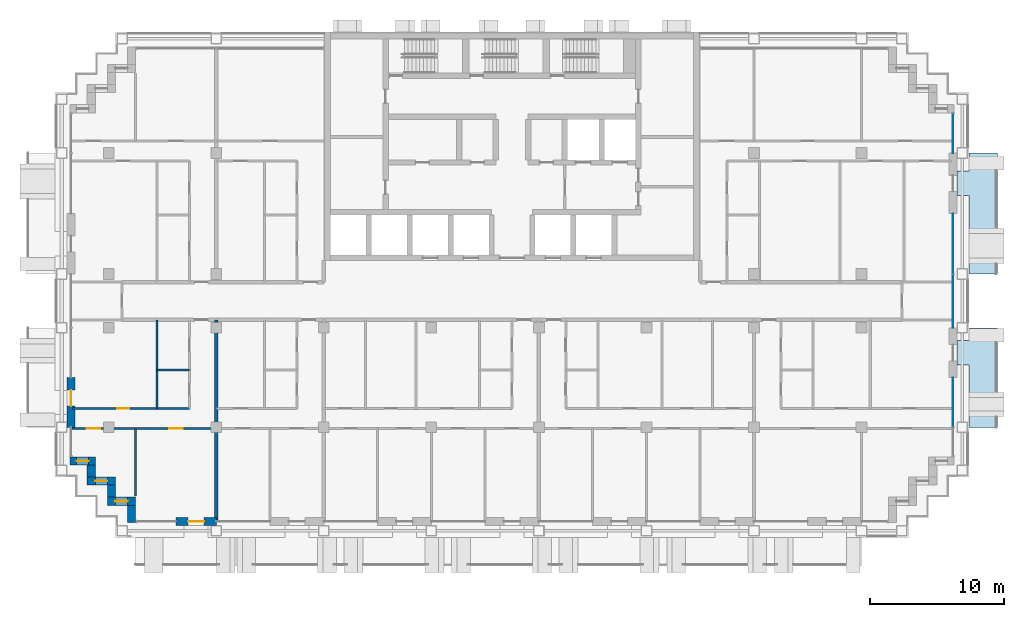
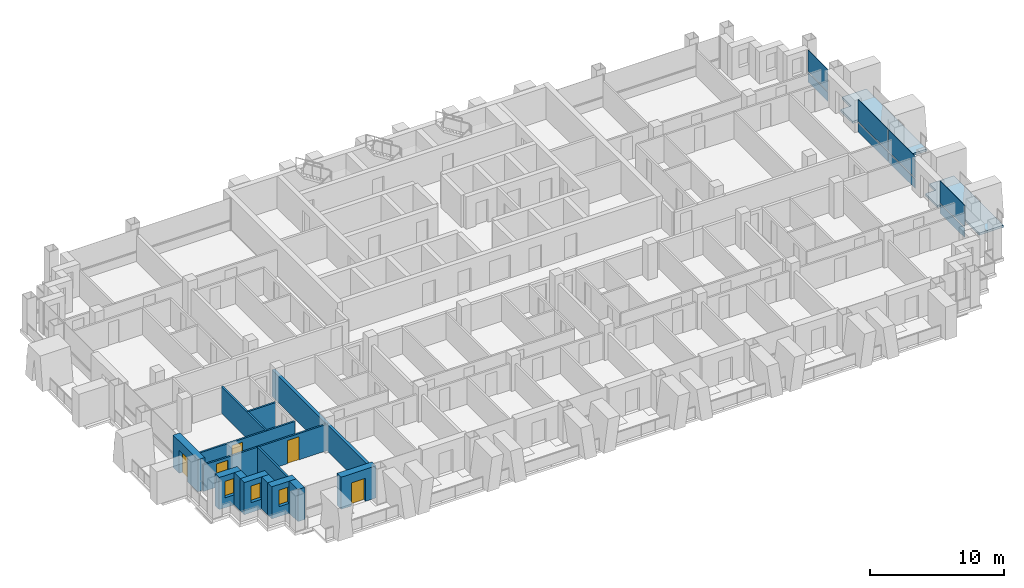
# One storey, part 7 of 18: 14 walls, 8 plates, 5 doors, 3 windows, 2 slabs, 8 openings, 3 elements without a shape of their own.
"""IFC4 building model written with IfcOpenShell, lengths in metres."""

from ifc_helpers import new_model, si_unit, direction, frame, frame_2d, origin, origin_2d, place, context, subcontext, project, spatial, polyline, rectangle, outline, extrude, material, layer, layer_set, type_object, element, fill, aggregate, save


model = new_model("IFC4")

# Units and contexts
model_context = context("Model", 3, precision=1e-05, world=origin(), true_north=direction((0.0, 1.0)))
body_context = subcontext(model_context, "Body", "Model", "MODEL_VIEW")
ifc_project = project(units=[si_unit("LENGTHUNIT", "METRE"), si_unit("AREAUNIT", "SQUARE_METRE"), si_unit("VOLUMEUNIT", "CUBIC_METRE"), si_unit("PLANEANGLEUNIT", "RADIAN"), si_unit("MASSUNIT", "GRAM", prefix="KILO")], contexts=[model_context])

# Site, building, storey
site_placement = place(None, origin())
site = spatial("IfcSite", under=ifc_project, at=site_placement, CompositionType="ELEMENT")
building_placement = place(site_placement, origin())
building = spatial("IfcBuilding", under=site, at=building_placement, Name="Vidyagriha Tower", CompositionType="ELEMENT")
storey_placement = place(building_placement, frame((0.0, 0.0, 126.199951171875)))
storey = spatial("IfcBuildingStorey", under=building, at=storey_placement, Name="L32", CompositionType="ELEMENT", Elevation=126.199951171875)

# Curtain wall, plate
ifc_material_1 = material(Name="Aluminium and glass curtain wall", Category="aluminium")
curtain_wall_type = type_object("IfcCurtainWallType", Name="Dwelling skin unitised curtain wall", PredefinedType="USERDEFINED", material=ifc_material_1)
curtain_wall_1_placement = place(storey_placement, origin())
curtain_wall_1 = element("IfcCurtainWall", 1, at=curtain_wall_1_placement, inside=storey, type_object=curtain_wall_type, Name="CW1 dwelling skin", ObjectType="UNITISED", PredefinedType="USERDEFINED")
ifc_material_2 = material(Name="Glass dark ceramic-fritted spandrel", Category="glass")
ifc_layer_1 = layer(ifc_material_2, 0.0400390625)
ifc_layer_set_1 = layer_set([ifc_layer_1], Name="Glass dark ceramic-fritted spandrel")
plate_type_1 = type_object("IfcPlateType", Name="Ceramic-fritted spandrel panel", PredefinedType="CURTAIN_PANEL", material=ifc_layer_set_1)
plate_1_placement = place(storey_placement, frame((32.800048828125, -7.532470703125, 0.0), z_axis=(0.0, 0.0, 1.0), x_axis=(0.0, 1.0, 0.0)))
plate_1 = element("IfcPlate", 2, at=plate_1_placement, type_object=plate_type_1, Name="CW1 panel 2.1", PredefinedType="CURTAIN_PANEL", context=body_context, shape_type="SweptSolid", body=[
    extrude(rectangle(XDim=3.6650390625, YDim=0.0400390625, at=origin_2d()), origin(), (0.0, 0.0, 1.0), 0.85009765625),
])

curtain_wall_2_placement = place(storey_placement, origin())
curtain_wall_2 = element("IfcCurtainWall", 3, at=curtain_wall_2_placement, inside=storey, type_object=curtain_wall_type, Name="CW1 dwelling skin", ObjectType="UNITISED", PredefinedType="USERDEFINED")
plate_2_placement = place(storey_placement, frame((32.800048828125, 12.465087890625, 0.0), z_axis=(0.0, 0.0, 1.0), x_axis=(0.0, 1.0, 0.0)))
plate_2 = element("IfcPlate", 4, at=plate_2_placement, type_object=plate_type_1, Name="CW1 panel 1.1", PredefinedType="CURTAIN_PANEL", context=body_context, shape_type="SweptSolid", body=[
    extrude(rectangle(XDim=2.929931640625, YDim=0.0400390625, at=origin_2d()), origin(), (0.0, 0.0, 1.0), 0.85009765625),
])

# Plate
ifc_material_3 = material(Name="Glass dark ceramic-fritted", Category="glass")
ifc_layer_2 = layer(ifc_material_3, 0.028076171875)
ifc_layer_set_2 = layer_set([ifc_layer_2], Name="Glass dark ceramic-fritted")
plate_type_2 = type_object("IfcPlateType", Name="Dark ceramic-fritted vision glass panel", PredefinedType="CURTAIN_PANEL", material=ifc_layer_set_2)
plate_3_placement = place(storey_placement, frame((32.800048828125, -7.532470703125, 0.9501953125), z_axis=(0.0, 0.0, 1.0), x_axis=(0.0, 1.0, 0.0)))
plate_3 = element("IfcPlate", 5, at=plate_3_placement, type_object=plate_type_2, Name="CW1 panel 2.2", PredefinedType="CURTAIN_PANEL", context=body_context, shape_type="SweptSolid", body=[
    extrude(rectangle(XDim=3.6650390625, YDim=0.028076171875, at=origin_2d()), origin(), (0.0, 0.0, 1.0), 1.969970703125),
])

aggregate(curtain_wall_1, [plate_1, plate_3])

# Curtain wall, plates
curtain_wall_3_placement = place(storey_placement, origin())
curtain_wall_3 = element("IfcCurtainWall", 6, at=curtain_wall_3_placement, inside=storey, type_object=curtain_wall_type, Name="CW1 dwelling skin", ObjectType="UNITISED", PredefinedType="USERDEFINED")
plate_4_placement = place(storey_placement, frame((32.800048828125, -0.017578125, 0.9501953125), z_axis=(0.0, 0.0, 1.0), x_axis=(0.0, 1.0, 0.0)))
plate_4 = element("IfcPlate", 7, at=plate_4_placement, type_object=plate_type_2, Name="CW1 panel 1.2", PredefinedType="CURTAIN_PANEL", context=body_context, shape_type="SweptSolid", body=[
    extrude(rectangle(XDim=3.965087890625, YDim=0.028076171875, at=origin_2d()), origin(), (0.0, 0.0, 1.0), 1.969970703125),
])
plate_5_placement = place(storey_placement, frame((32.800048828125, 4.267578125, 0.9501953125), z_axis=(0.0, 0.0, 1.0), x_axis=(0.0, 1.0, 0.0)))
plate_5 = element("IfcPlate", 8, at=plate_5_placement, type_object=plate_type_2, Name="CW1 panel 2.2", PredefinedType="CURTAIN_PANEL", context=body_context, shape_type="SweptSolid", body=[
    extrude(rectangle(XDim=4.465087890625, YDim=0.028076171875, at=origin_2d()), origin(), (0.0, 0.0, 1.0), 1.969970703125),
])

# Plate
plate_6_placement = place(storey_placement, frame((32.800048828125, 12.465087890625, 0.9501953125), z_axis=(0.0, 0.0, 1.0), x_axis=(0.0, 1.0, 0.0)))
plate_6 = element("IfcPlate", 9, at=plate_6_placement, type_object=plate_type_2, Name="CW1 panel 1.2", PredefinedType="CURTAIN_PANEL", context=body_context, shape_type="SweptSolid", body=[
    extrude(rectangle(XDim=2.929931640625, YDim=0.028076171875, at=origin_2d()), origin(), (0.0, 0.0, 1.0), 1.969970703125),
])

aggregate(curtain_wall_2, [plate_2, plate_6])

ifc_material_4 = material(Name="Aluminium black anodised", Category="aluminium")
ifc_layer_3 = layer(ifc_material_4, 0.06005859375)
ifc_layer_set_3 = layer_set([ifc_layer_3], Name="Aluminium black anodised")
plate_type_3 = type_object("IfcPlateType", Name="Operable black-metal vent panel", PredefinedType="CURTAIN_PANEL", material=ifc_layer_set_3)
plate_7_placement = place(storey_placement, frame((32.800048828125, -0.017578125, 0.0), z_axis=(0.0, 0.0, 1.0), x_axis=(0.0, 1.0, 0.0)))
plate_7 = element("IfcPlate", 10, at=plate_7_placement, type_object=plate_type_3, Name="CW1 panel 1.1", PredefinedType="CURTAIN_PANEL", context=body_context, shape_type="SweptSolid", body=[
    extrude(rectangle(XDim=3.965087890625, YDim=0.06005859375, at=origin_2d()), origin(), (0.0, 0.0, 1.0), 0.85009765625),
])

plate_8_placement = place(storey_placement, frame((32.800048828125, 4.267578125, 0.0), z_axis=(0.0, 0.0, 1.0), x_axis=(0.0, 1.0, 0.0)))
plate_8 = element("IfcPlate", 11, at=plate_8_placement, type_object=plate_type_3, Name="CW1 panel 2.1", PredefinedType="CURTAIN_PANEL", context=body_context, shape_type="SweptSolid", body=[
    extrude(rectangle(XDim=4.465087890625, YDim=0.06005859375, at=origin_2d()), origin(), (0.0, 0.0, 1.0), 0.85009765625),
])

aggregate(curtain_wall_3, [plate_7, plate_4, plate_8, plate_5])

# Slabs
ifc_material_5 = material(Name="Precast concrete C40/50", Category="concrete")
ifc_layer_4 = layer(ifc_material_5, 0.199951171875)
ifc_layer_set_4 = layer_set([ifc_layer_4], Name="Precast concrete C40/50")
slab_type = type_object("IfcSlabType", Name="Precast balcony slab 200", PredefinedType="USERDEFINED", material=ifc_layer_set_4)
slab_1_placement = place(storey_placement, frame((0.0, 0.0, -0.199951171875)))
element("IfcSlab", 12, at=slab_1_placement, inside=storey, type_object=slab_type, Name="Balcony slab L32 R30.1-1", ObjectType="BALCONY", PredefinedType="USERDEFINED", context=body_context, shape_type="SweptSolid", body=[
    extrude(outline(polyline([(34.0, -4.75), (34.0, -9.39990234375), (36.10009765625, -9.39990234375), (36.10009765625, -2.0), (34.0, -2.0), (34.0, -2.949951171875), (33.10009765625, -2.949951171875), (33.10009765625, -4.75), (34.0, -4.75)])), origin(), (0.0, 0.0, 1.0), 0.199951171875),
])
slab_2_placement = place(storey_placement, frame((0.0, 0.0, -0.199951171875)))
element("IfcSlab", 13, at=slab_2_placement, inside=storey, type_object=slab_type, Name="Balcony slab L32 R30.2-2", ObjectType="BALCONY", PredefinedType="USERDEFINED", context=body_context, shape_type="SweptSolid", body=[
    extrude(outline(polyline([(34.0, 7.85009765625), (34.0, 2.0), (36.10009765625, 2.0), (36.10009765625, 11.0), (34.0, 11.0), (34.0, 9.64990234375), (33.10009765625, 9.64990234375), (33.10009765625, 7.85009765625), (34.0, 7.85009765625)])), origin(), (0.0, 0.0, 1.0), 0.199951171875),
])

# Wall, opening, door
ifc_material_6 = material(Name="Precast concrete C40/50 with brick facing", Category="concrete")
ifc_layer_5 = layer(ifc_material_6, 0.60009765625)
ifc_layer_set_5 = layer_set([ifc_layer_5], Name="Precast concrete C40/50 with brick facing")
wall_type_1 = type_object("IfcWallType", Name="Brick-faced precast wall 600", PredefinedType="STANDARD", material=ifc_layer_set_5)
wall_1_placement = place(storey_placement, frame((-32.800048828125, -5.699951171875, 0.0), z_axis=(0.0, 0.0, 1.0), x_axis=(0.0, -1.0, 0.0)))
wall_1 = element("IfcWall", 14, at=wall_1_placement, inside=storey, type_object=wall_type_1, Name="Brick door bay wall L32 R16.6", PredefinedType="STANDARD", context=body_context, shape_type="SweptSolid", body=[
    extrude(rectangle(XDim=3.699951171875, YDim=0.60009765625, at=frame_2d((1.85009765625, 0.0))), origin(), (0.0, 0.0, 1.0), 2.920166015625),
])
opening_1_placement = place(wall_1_placement, frame((0.925048828125, 0.0, 0.0)))
opening_1 = element("IfcOpeningElement", 15, at=opening_1_placement, cuts=wall_1, Name="Opening D32-76", PredefinedType="OPENING", context=body_context, shape_type="SweptSolid", body=[
    extrude(rectangle(XDim=1.199951171875, YDim=2.10009765625, at=frame_2d((0.60009765625, 1.050048828125))), frame((0.0, 0.31005859375, 0.0), z_axis=(0.0, -1.0, 0.0), x_axis=(1.0, 0.0, 0.0)), (0.0, 0.0, 1.0), 0.6201171875),
])
ifc_material_7 = material(Name="Aluminium framed glazed sliding door", Category="aluminium")
door_type_1 = type_object("IfcDoorType", Name="Balcony sliding door 1200x2100", OperationType="NOTDEFINED", PredefinedType="DOOR", material=ifc_material_7)
door_1_placement = place(opening_1_placement, origin())
door_1 = element("IfcDoor", 16, at=door_1_placement, inside=storey, type_object=door_type_1, Name="Door D32-76", OperationType="SLIDING_TO_LEFT", OverallHeight=2.10009765625, OverallWidth=1.199951171875, PredefinedType="DOOR", context=body_context, shape_type="SweptSolid", body=[
    extrude(rectangle(XDim=1.199951171875, YDim=2.10009765625, at=frame_2d((0.60009765625, 1.050048828125))), frame((0.0, 0.02490234375, 0.0), z_axis=(0.0, -1.0, 0.0), x_axis=(1.0, 0.0, 0.0)), (0.0, 0.0, 1.0), 0.050048828125),
])
fill(opening_1, door_1)

# Wall, opening, window
wall_2_placement = place(storey_placement, frame((-32.8798828125, -11.89990234375, 0.0)))
wall_2 = element("IfcWall", 17, at=wall_2_placement, inside=storey, type_object=wall_type_1, Name="Stepped corner wall L32 R17", PredefinedType="STANDARD", context=body_context, shape_type="SweptSolid", body=[
    extrude(rectangle(XDim=1.8798828125, YDim=0.60009765625, at=frame_2d((0.93994140625, 0.0))), origin(), (0.0, 0.0, 1.0), 2.920166015625),
])
opening_2_placement = place(wall_2_placement, frame((0.489990234375, 0.0, 0.89990234375)))
opening_2 = element("IfcOpeningElement", 18, at=opening_2_placement, cuts=wall_2, Name="Opening WN1", PredefinedType="OPENING", context=body_context, shape_type="SweptSolid", body=[
    extrude(rectangle(XDim=0.89990234375, YDim=1.5, at=frame_2d((0.449951171875, 0.75))), frame((0.0, 0.31005859375, 0.0), z_axis=(0.0, -1.0, 0.0), x_axis=(1.0, 0.0, 0.0)), (0.0, 0.0, 1.0), 0.6201171875),
])
ifc_material_8 = material(Name="Aluminium and glass window", Category="aluminium")
window_type = type_object("IfcWindowType", Name="Reveal window 900x1500", PartitioningType="NOTDEFINED", PredefinedType="WINDOW", material=ifc_material_8)
window_1_placement = place(opening_2_placement, origin())
window_1 = element("IfcWindow", 19, at=window_1_placement, inside=storey, type_object=window_type, Name="Reveal window L32 R17", OverallHeight=1.5, OverallWidth=0.89990234375, PartitioningType="SINGLE_PANEL", PredefinedType="WINDOW", context=body_context, shape_type="SweptSolid", body=[
    extrude(rectangle(XDim=0.89990234375, YDim=1.5, at=frame_2d((0.449951171875, 0.75))), frame((0.0, 0.030029296875, 0.0), z_axis=(0.0, -1.0, 0.0), x_axis=(1.0, 0.0, 0.0)), (0.0, 0.0, 1.0), 0.06005859375),
])
fill(opening_2, window_1)

# Wall
wall_3_placement = place(storey_placement, frame((-31.300048828125, -12.199951171875, 0.0), z_axis=(0.0, 0.0, 1.0), x_axis=(0.0, -1.0, 0.0)))
element("IfcWall", 20, at=wall_3_placement, inside=storey, type_object=wall_type_1, Name="Stepped corner wall L32 R18", PredefinedType="STANDARD", context=body_context, shape_type="SweptSolid", body=[
    extrude(rectangle(XDim=0.900146484375, YDim=0.60009765625, at=frame_2d((0.4501953125, 0.0))), origin(), (0.0, 0.0, 1.0), 2.920166015625),
])

# Wall, opening, window
wall_4_placement = place(storey_placement, frame((-31.60009765625, -13.39990234375, 0.0)))
wall_4 = element("IfcWall", 21, at=wall_4_placement, inside=storey, type_object=wall_type_1, Name="Stepped corner wall L32 R19", PredefinedType="STANDARD", context=body_context, shape_type="SweptSolid", body=[
    extrude(rectangle(XDim=2.10009765625, YDim=0.60009765625, at=frame_2d((1.050048828125, 0.0))), origin(), (0.0, 0.0, 1.0), 2.920166015625),
])
opening_3_placement = place(wall_4_placement, frame((0.60009765625, 0.0, 0.89990234375)))
opening_3 = element("IfcOpeningElement", 22, at=opening_3_placement, cuts=wall_4, Name="Opening WN1", PredefinedType="OPENING", context=body_context, shape_type="SweptSolid", body=[
    extrude(rectangle(XDim=0.89990234375, YDim=1.5, at=frame_2d((0.449951171875, 0.75))), frame((0.0, 0.31005859375, 0.0), z_axis=(0.0, -1.0, 0.0), x_axis=(1.0, 0.0, 0.0)), (0.0, 0.0, 1.0), 0.6201171875),
])
window_2_placement = place(opening_3_placement, origin())
window_2 = element("IfcWindow", 23, at=window_2_placement, inside=storey, type_object=window_type, Name="Reveal window L32 R19", OverallHeight=1.5, OverallWidth=0.89990234375, PartitioningType="SINGLE_PANEL", PredefinedType="WINDOW", context=body_context, shape_type="SweptSolid", body=[
    extrude(rectangle(XDim=0.89990234375, YDim=1.5, at=frame_2d((0.449951171875, 0.75))), frame((0.0, 0.030029296875, 0.0), z_axis=(0.0, -1.0, 0.0), x_axis=(1.0, 0.0, 0.0)), (0.0, 0.0, 1.0), 0.06005859375),
])
fill(opening_3, window_2)

# Wall
wall_5_placement = place(storey_placement, frame((-29.800048828125, -13.699951171875, 0.0), z_axis=(0.0, 0.0, 1.0), x_axis=(0.0, -1.0, 0.0)))
element("IfcWall", 24, at=wall_5_placement, inside=storey, type_object=wall_type_1, Name="Stepped corner wall L32 R20", PredefinedType="STANDARD", context=body_context, shape_type="SweptSolid", body=[
    extrude(rectangle(XDim=0.900146484375, YDim=0.60009765625, at=frame_2d((0.4501953125, 0.0))), origin(), (0.0, 0.0, 1.0), 2.920166015625),
])

# Wall, opening, window
wall_6_placement = place(storey_placement, frame((-30.10009765625, -14.89990234375, 0.0)))
wall_6 = element("IfcWall", 25, at=wall_6_placement, inside=storey, type_object=wall_type_1, Name="Stepped corner wall L32 R21", PredefinedType="STANDARD", context=body_context, shape_type="SweptSolid", body=[
    extrude(rectangle(XDim=2.10009765625, YDim=0.60009765625, at=frame_2d((1.050048828125, 0.0))), origin(), (0.0, 0.0, 1.0), 2.920166015625),
])
opening_4_placement = place(wall_6_placement, frame((0.60009765625, 0.0, 0.89990234375)))
opening_4 = element("IfcOpeningElement", 26, at=opening_4_placement, cuts=wall_6, Name="Opening WN1", PredefinedType="OPENING", context=body_context, shape_type="SweptSolid", body=[
    extrude(rectangle(XDim=0.89990234375, YDim=1.5, at=frame_2d((0.449951171875, 0.75))), frame((0.0, 0.31005859375, 0.0), z_axis=(0.0, -1.0, 0.0), x_axis=(1.0, 0.0, 0.0)), (0.0, 0.0, 1.0), 0.6201171875),
])
window_3_placement = place(opening_4_placement, origin())
window_3 = element("IfcWindow", 27, at=window_3_placement, inside=storey, type_object=window_type, Name="Reveal window L32 R21", OverallHeight=1.5, OverallWidth=0.89990234375, PartitioningType="SINGLE_PANEL", PredefinedType="WINDOW", context=body_context, shape_type="SweptSolid", body=[
    extrude(rectangle(XDim=0.89990234375, YDim=1.5, at=frame_2d((0.449951171875, 0.75))), frame((0.0, 0.030029296875, 0.0), z_axis=(0.0, -1.0, 0.0), x_axis=(1.0, 0.0, 0.0)), (0.0, 0.0, 1.0), 0.06005859375),
])
fill(opening_4, window_3)

# Wall
wall_7_placement = place(storey_placement, frame((-28.300048828125, -15.199951171875, 0.0), z_axis=(0.0, 0.0, 1.0), x_axis=(0.0, -1.0, 0.0)))
element("IfcWall", 28, at=wall_7_placement, inside=storey, type_object=wall_type_1, Name="Stepped corner wall L32 R22", PredefinedType="STANDARD", context=body_context, shape_type="SweptSolid", body=[
    extrude(rectangle(XDim=1.280029296875, YDim=0.60009765625, at=frame_2d((0.64013671875, 0.0))), origin(), (0.0, 0.0, 1.0), 2.920166015625),
])

# Wall, opening, door
wall_8_placement = place(storey_placement, frame((-25.0, -16.39990234375, 0.0)))
wall_8 = element("IfcWall", 29, at=wall_8_placement, inside=storey, type_object=wall_type_1, Name="Brick door bay wall L32 R23.2", PredefinedType="STANDARD", context=body_context, shape_type="SweptSolid", body=[
    extrude(rectangle(XDim=3.0, YDim=0.60009765625, at=frame_2d((1.5, 0.0))), origin(), (0.0, 0.0, 1.0), 2.920166015625),
])
opening_5_placement = place(wall_8_placement, frame((0.89990234375, 0.0, 0.0)))
opening_5 = element("IfcOpeningElement", 30, at=opening_5_placement, cuts=wall_8, Name="Opening D32-77", PredefinedType="OPENING", context=body_context, shape_type="SweptSolid", body=[
    extrude(rectangle(XDim=1.199951171875, YDim=2.10009765625, at=frame_2d((0.60009765625, 1.050048828125))), frame((0.0, 0.31005859375, 0.0), z_axis=(0.0, -1.0, 0.0), x_axis=(1.0, 0.0, 0.0)), (0.0, 0.0, 1.0), 0.6201171875),
])
door_2_placement = place(opening_5_placement, origin())
door_2 = element("IfcDoor", 31, at=door_2_placement, inside=storey, type_object=door_type_1, Name="Door D32-77", OperationType="SLIDING_TO_LEFT", OverallHeight=2.10009765625, OverallWidth=1.199951171875, PredefinedType="DOOR", context=body_context, shape_type="SweptSolid", body=[
    extrude(rectangle(XDim=1.199951171875, YDim=2.10009765625, at=frame_2d((0.60009765625, 1.050048828125))), frame((0.0, 0.02490234375, 0.0), z_axis=(0.0, -1.0, 0.0), x_axis=(1.0, 0.0, 0.0)), (0.0, 0.0, 1.0), 0.050048828125),
])
fill(opening_5, door_2)

# Walls
ifc_material_9 = material(Name="Fired clay brick masonry", Category="masonry")
ifc_layer_6 = layer(ifc_material_9, 0.25)
ifc_layer_set_6 = layer_set([ifc_layer_6], Name="Fired clay brick masonry")
wall_type_2 = type_object("IfcWallType", Name="Fired clay brick demising wall 250", PredefinedType="PARTITIONING", material=ifc_layer_set_6)
wall_9_placement = place(storey_placement, frame((-22.0, -1.39990234375, 0.0), z_axis=(0.0, 0.0, 1.0), x_axis=(0.0, -1.0, 0.0)))
element("IfcWall", 32, at=wall_9_placement, inside=storey, type_object=wall_type_2, Name="Wall all-L32-w025", PredefinedType="PARTITIONING", context=body_context, shape_type="SweptSolid", body=[
    extrude(rectangle(XDim=14.91015625, YDim=0.25, at=frame_2d((7.455078125, 0.0))), origin(), (0.0, 0.0, 1.0), 2.400146484375),
])
ifc_material_10 = material(Name="Gypsum board partition")
ifc_layer_7 = layer(ifc_material_10, 0.14990234375)
ifc_layer_set_7 = layer_set([ifc_layer_7], Name="Gypsum board partition")
wall_type_3 = type_object("IfcWallType", Name="Gypsum board partition 150", PredefinedType="PARTITIONING", material=ifc_layer_set_7)
wall_10_placement = place(storey_placement, frame((-24.0, -5.14990234375, 0.0), z_axis=(0.0, 0.0, 1.0), x_axis=(-1.0, 0.0, 0.0)))
element("IfcWall", 33, at=wall_10_placement, inside=storey, type_object=wall_type_3, Name="Wall all-L32-w004", PredefinedType="PARTITIONING", context=body_context, shape_type="SweptSolid", body=[
    extrude(rectangle(XDim=2.39990234375, YDim=0.14990234375, at=frame_2d((1.199951171875, 0.0))), origin(), (0.0, 0.0, 1.0), 2.400146484375),
])
wall_11_placement = place(storey_placement, frame((-26.39990234375, -8.0, 0.0), z_axis=(0.0, 0.0, 1.0), x_axis=(0.0, 1.0, 0.0)))
element("IfcWall", 34, at=wall_11_placement, inside=storey, type_object=wall_type_3, Name="Wall all-L32-w005", PredefinedType="PARTITIONING", context=body_context, shape_type="SweptSolid", body=[
    extrude(rectangle(XDim=6.60009765625, YDim=0.14990234375, at=frame_2d((3.300048828125, 0.0))), origin(), (0.0, 0.0, 1.0), 2.400146484375),
])

# Wall, opening, door
wall_12_placement = place(storey_placement, frame((-32.7099609375, -8.0, 0.0)))
wall_12 = element("IfcWall", 35, at=wall_12_placement, inside=storey, type_object=wall_type_3, Name="Wall all-L32-w006", PredefinedType="PARTITIONING", context=body_context, shape_type="SweptSolid", body=[
    extrude(rectangle(XDim=8.7099609375, YDim=0.14990234375, at=frame_2d((4.35498046875, 0.0))), origin(), (0.0, 0.0, 1.0), 2.400146484375),
])
opening_6_placement = place(wall_12_placement, frame((3.327880859375, 0.0, 0.0)))
opening_6 = element("IfcOpeningElement", 36, at=opening_6_placement, cuts=wall_12, Name="Opening D32-16", PredefinedType="OPENING", context=body_context, shape_type="SweptSolid", body=[
    extrude(rectangle(XDim=0.89990234375, YDim=2.10009765625, at=frame_2d((0.449951171875, 1.050048828125))), frame((0.0, 0.0849609375, 0.0), z_axis=(0.0, -1.0, 0.0), x_axis=(1.0, 0.0, 0.0)), (0.0, 0.0, 1.0), 0.169921875),
])
ifc_material_11 = material(Name="Timber door leaf", Category="wood")
door_type_2 = type_object("IfcDoorType", Name="Room door 900x2100", OperationType="NOTDEFINED", PredefinedType="DOOR", material=ifc_material_11)
door_3_placement = place(opening_6_placement, origin())
door_3 = element("IfcDoor", 37, at=door_3_placement, inside=storey, type_object=door_type_2, Name="Door D32-16", OperationType="SINGLE_SWING_RIGHT", OverallHeight=2.10009765625, OverallWidth=0.89990234375, PredefinedType="DOOR", context=body_context, shape_type="SweptSolid", body=[
    extrude(rectangle(XDim=0.89990234375, YDim=2.10009765625, at=frame_2d((0.449951171875, 1.050048828125))), frame((0.0, 0.02490234375, 0.0), z_axis=(0.0, -1.0, 0.0), x_axis=(1.0, 0.0, 0.0)), (0.0, 0.0, 1.0), 0.050048828125),
])
fill(opening_6, door_3)

# Wall, openings, doors
wall_13_placement = place(storey_placement, frame((-22.0, -9.5, 0.0), z_axis=(0.0, 0.0, 1.0), x_axis=(-1.0, 0.0, 0.0)))
wall_13 = element("IfcWall", 38, at=wall_13_placement, inside=storey, type_object=wall_type_3, Name="Wall all-L32-w008", PredefinedType="PARTITIONING", context=body_context, shape_type="SweptSolid", body=[
    extrude(rectangle(XDim=10.719970703125, YDim=0.14990234375, at=frame_2d((5.35986328125, 0.0))), origin(), (0.0, 0.0, 1.0), 2.400146484375),
])
opening_7_placement = place(wall_13_placement, frame((8.617919921875, 0.0, 0.0)))
opening_7 = element("IfcOpeningElement", 39, at=opening_7_placement, cuts=wall_13, Name="Opening D32-17", PredefinedType="OPENING", context=body_context, shape_type="SweptSolid", body=[
    extrude(rectangle(XDim=1.0, YDim=2.10009765625, at=frame_2d((0.5, 1.050048828125))), frame((0.0, 0.0849609375, 0.0), z_axis=(0.0, -1.0, 0.0), x_axis=(1.0, 0.0, 0.0)), (0.0, 0.0, 1.0), 0.169921875),
])
opening_8_placement = place(wall_13_placement, frame((2.5, 0.0, 0.0)))
opening_8 = element("IfcOpeningElement", 40, at=opening_8_placement, cuts=wall_13, Name="Opening D32-18", PredefinedType="OPENING", context=body_context, shape_type="SweptSolid", body=[
    extrude(rectangle(XDim=1.0, YDim=2.10009765625, at=frame_2d((0.5, 1.050048828125))), frame((0.0, 0.0849609375, 0.0), z_axis=(0.0, -1.0, 0.0), x_axis=(1.0, 0.0, 0.0)), (0.0, 0.0, 1.0), 0.169921875),
])
ifc_material_12 = material(Name="Timber door leaf", Category="wood")
door_type_3 = type_object("IfcDoorType", Name="Room door 1000x2100", OperationType="NOTDEFINED", PredefinedType="DOOR", material=ifc_material_12)
door_4_placement = place(opening_7_placement, origin())
door_4 = element("IfcDoor", 41, at=door_4_placement, inside=storey, type_object=door_type_3, Name="Door D32-17", OperationType="SINGLE_SWING_RIGHT", OverallHeight=2.10009765625, OverallWidth=1.0, PredefinedType="DOOR", context=body_context, shape_type="SweptSolid", body=[
    extrude(rectangle(XDim=1.0, YDim=2.10009765625, at=frame_2d((0.5, 1.050048828125))), frame((0.0, 0.02490234375, 0.0), z_axis=(0.0, -1.0, 0.0), x_axis=(1.0, 0.0, 0.0)), (0.0, 0.0, 1.0), 0.050048828125),
])
fill(opening_7, door_4)
door_5_placement = place(opening_8_placement, origin())
door_5 = element("IfcDoor", 42, at=door_5_placement, inside=storey, type_object=door_type_3, Name="Door D32-18", OperationType="SINGLE_SWING_RIGHT", OverallHeight=2.10009765625, OverallWidth=1.0, PredefinedType="DOOR", context=body_context, shape_type="SweptSolid", body=[
    extrude(rectangle(XDim=1.0, YDim=2.10009765625, at=frame_2d((0.5, 1.050048828125))), frame((0.0, 0.02490234375, 0.0), z_axis=(0.0, -1.0, 0.0), x_axis=(1.0, 0.0, 0.0)), (0.0, 0.0, 1.0), 0.050048828125),
])
fill(opening_8, door_5)

# Wall
wall_14_placement = place(storey_placement, frame((-28.0, -9.5, 0.0), z_axis=(0.0, 0.0, 1.0), x_axis=(0.0, -1.0, 0.0)))
element("IfcWall", 43, at=wall_14_placement, inside=storey, type_object=wall_type_3, Name="Wall all-L32-w011", PredefinedType="PARTITIONING", context=body_context, shape_type="SweptSolid", body=[
    extrude(rectangle(XDim=5.02001953125, YDim=0.14990234375, at=frame_2d((2.510009765625, 0.0))), origin(), (0.0, 0.0, 1.0), 2.400146484375),
])

save(model, "model.ifc")
